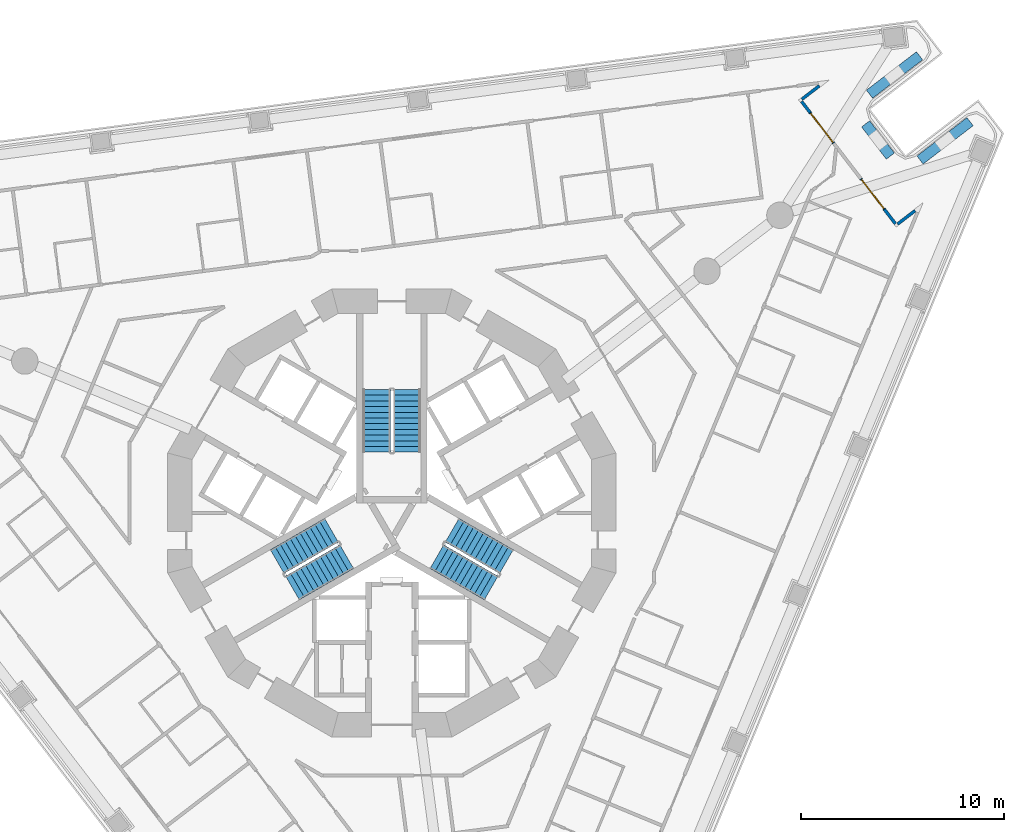
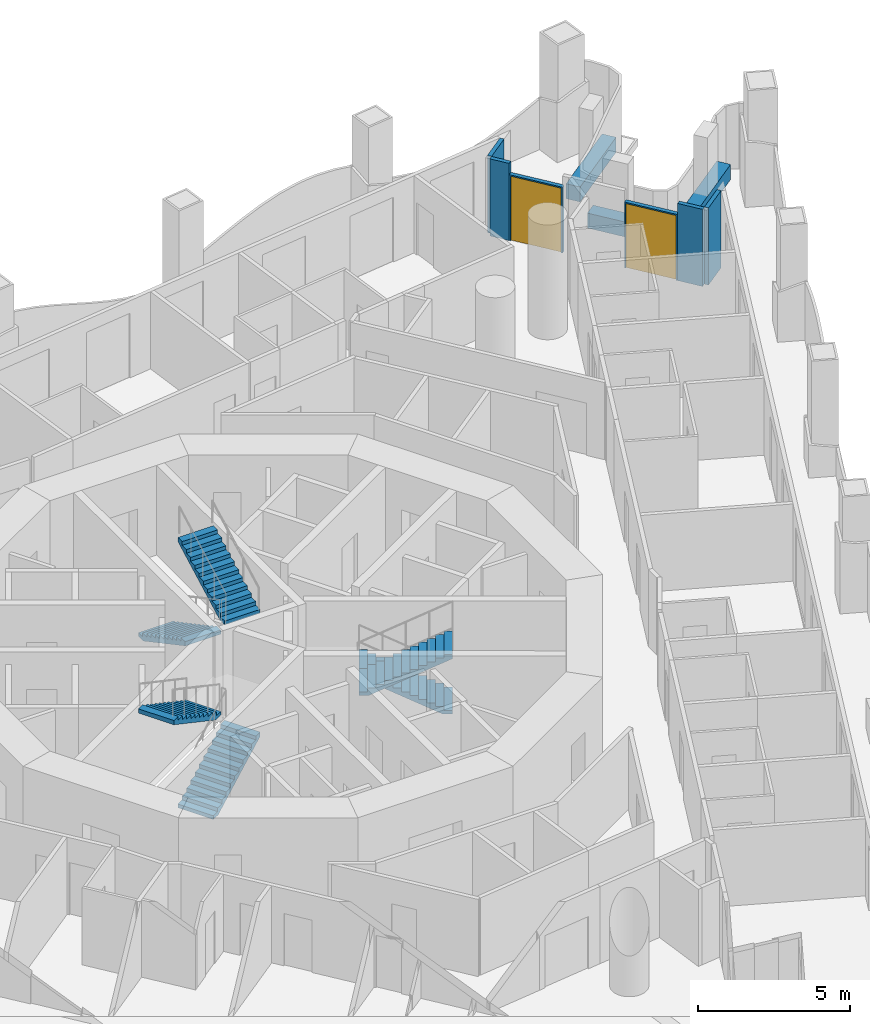
# One storey, part 11 of 19: 9 walls, 6 stair flights, 2 doors, 2 openings, 3 elements without a shape of their own.
"""IFC4 building model written with IfcOpenShell, lengths in metres."""

from ifc_helpers import new_model, si_unit, direction, frame, frame_2d, origin, place, context, subcontext, project, spatial, polyline, rectangle, outline, extrude, material, layer, layer_set, type_object, element, fill, aggregate, save


model = new_model("IFC4")

# Units and contexts
model_context = context("Model", 3, precision=1e-05, world=origin(), true_north=direction((0.0, 1.0)))
body_context = subcontext(model_context, "Body", "Model", "MODEL_VIEW")
ifc_project = project(units=[si_unit("LENGTHUNIT", "METRE"), si_unit("AREAUNIT", "SQUARE_METRE"), si_unit("VOLUMEUNIT", "CUBIC_METRE"), si_unit("PLANEANGLEUNIT", "RADIAN"), si_unit("MASSUNIT", "GRAM", prefix="KILO")], contexts=[model_context])

# Site, building, storey
site_placement = place(None, origin())
site = spatial("IfcSite", under=ifc_project, at=site_placement, CompositionType="ELEMENT")
building_placement = place(site_placement, origin())
building = spatial("IfcBuilding", under=site, at=building_placement, Name="Trine Commons Tower", CompositionType="ELEMENT")
storey_placement = place(building_placement, frame((0.0, 0.0, 79.199951171875)))
storey = spatial("IfcBuildingStorey", under=building, at=storey_placement, Name="L19", CompositionType="ELEMENT", Elevation=79.199951171875)

# Walls
ifc_material_1 = material(Name="Aluminium-framed insulated wall panel", Category="aluminium")
ifc_layer_1 = layer(ifc_material_1, 0.14990234375)
ifc_layer_set_1 = layer_set([ifc_layer_1], Name="Aluminium-framed insulated wall panel")
wall_type_1 = type_object("IfcWallType", Name="Glazed frame wall 150, EI 60", PredefinedType="SOLIDWALL", material=ifc_layer_set_1)
wall_1_placement = place(storey_placement, frame((101.129150390625, 83.584716796875, 0.0), z_axis=(0.0, 0.0, 1.0), x_axis=(-0.79337253673, -0.608736410905, 0.0)))
element("IfcWall", 1, at=wall_1_placement, inside=storey, type_object=wall_type_1, Name="Glazed frame wall R5", PredefinedType="SOLIDWALL", context=body_context, shape_type="SweptSolid", body=[
    extrude(outline(polyline([(0.1494140625, 0.074951171875), (0.1494140625, -0.074951171875), (1.235107421875, -0.074951171875), (1.235107421875, 0.074951171875), (0.1494140625, 0.074951171875)])), origin(), (0.0, 0.0, 1.0), 3.10009765625),
])
wall_2_placement = place(storey_placement, frame((100.068603515625, 82.81494140625, 0.0), z_axis=(0.0, 0.0, 1.0), x_axis=(0.608899188606, -0.79324761463, 0.0)))
element("IfcWall", 2, at=wall_2_placement, inside=storey, type_object=wall_type_1, Name="Glazed frame wall P2.1", PredefinedType="SOLIDWALL", context=body_context, shape_type="SweptSolid", body=[
    extrude(outline(polyline([(0.110107421875, -0.074951171875), (0.800048828125, -0.074951171875), (0.800048828125, 0.074951171875), (0.110107421875, 0.074951171875), (0.110107421875, -0.074951171875)])), origin(), (0.0, 0.0, 1.0), 3.10009765625),
])

# Wall, opening, door
wall_3_placement = place(storey_placement, frame((100.5556640625, 82.180419921875, 0.0), z_axis=(0.0, 0.0, 1.0), x_axis=(0.608803740143, -0.793320872023, 0.0)))
wall_3 = element("IfcWall", 3, at=wall_3_placement, inside=storey, type_object=wall_type_1, Name="Glazed frame wall P2.2", PredefinedType="SOLIDWALL", context=body_context, shape_type="SweptSolid", body=[
    extrude(outline(polyline([(0.0, -0.074951171875), (1.89990234375, -0.074951171875), (1.89990234375, 0.074951171875), (0.0, 0.074951171875), (0.0, -0.074951171875)])), origin(), (0.0, 0.0, 1.0), 2.650146484375),
])
opening_1_placement = place(wall_3_placement, frame((0.050048828125, 0.0, 0.0)))
opening_1 = element("IfcOpeningElement", 4, at=opening_1_placement, cuts=wall_3, Name="Opening BD-2P2-01", PredefinedType="OPENING", context=body_context, shape_type="SweptSolid", body=[
    extrude(rectangle(XDim=1.800048828125, YDim=2.60009765625, at=frame_2d((0.89990234375, 1.300048828125))), frame((0.0, 0.0849609375, 0.0), z_axis=(0.0, -1.0, 0.0), x_axis=(1.0, 0.0, 0.0)), (0.0, 0.0, 1.0), 0.169921875),
])
ifc_material_2 = material(Name="Anodised aluminium frame with double glazing", Category="aluminium")
door_type = type_object("IfcDoorType", Name="Sliding loggia door 1800x2600", OperationType="SLIDING_TO_LEFT", PredefinedType="DOOR", material=ifc_material_2)
door_1_placement = place(opening_1_placement, origin())
door_1 = element("IfcDoor", 5, at=door_1_placement, inside=storey, type_object=door_type, Name="Loggia door P2 1", OperationType="SLIDING_TO_LEFT", OverallHeight=2.60009765625, OverallWidth=1.800048828125, PredefinedType="DOOR", context=body_context, shape_type="SweptSolid", body=[
    extrude(rectangle(XDim=1.800048828125, YDim=2.60009765625, at=frame_2d((0.89990234375, 1.300048828125))), frame((0.0, 0.02490234375, 0.0), z_axis=(0.0, -1.0, 0.0), x_axis=(1.0, 0.0, 0.0)), (0.0, 0.0, 1.0), 0.050048828125),
])
fill(opening_1, door_1)

wall_4_placement = place(storey_placement, frame((103.051513671875, 78.927490234375, 0.0), z_axis=(0.0, 0.0, 1.0), x_axis=(0.608803740143, -0.793320872023, 0.0)))
wall_4 = element("IfcWall", 6, at=wall_4_placement, inside=storey, type_object=wall_type_1, Name="Glazed frame wall P2.4", PredefinedType="SOLIDWALL", context=body_context, shape_type="SweptSolid", body=[
    extrude(outline(polyline([(0.0, -0.074951171875), (1.89990234375, -0.074951171875), (1.89990234375, 0.074951171875), (0.0, 0.074951171875), (0.0, -0.074951171875)])), origin(), (0.0, 0.0, 1.0), 2.650146484375),
])
opening_2_placement = place(wall_4_placement, frame((0.050048828125, 0.0, 0.0)))
opening_2 = element("IfcOpeningElement", 7, at=opening_2_placement, cuts=wall_4, Name="Opening BD-2P2-02", PredefinedType="OPENING", context=body_context, shape_type="SweptSolid", body=[
    extrude(rectangle(XDim=1.800048828125, YDim=2.60009765625, at=frame_2d((0.89990234375, 1.300048828125))), frame((0.0, 0.0849609375, 0.0), z_axis=(0.0, -1.0, 0.0), x_axis=(1.0, 0.0, 0.0)), (0.0, 0.0, 1.0), 0.169921875),
])
door_2_placement = place(opening_2_placement, origin())
door_2 = element("IfcDoor", 8, at=door_2_placement, inside=storey, type_object=door_type, Name="Loggia door P2 2", OperationType="SLIDING_TO_LEFT", OverallHeight=2.60009765625, OverallWidth=1.800048828125, PredefinedType="DOOR", context=body_context, shape_type="SweptSolid", body=[
    extrude(rectangle(XDim=1.800048828125, YDim=2.60009765625, at=frame_2d((0.89990234375, 1.300048828125))), frame((0.0, 0.02490234375, 0.0), z_axis=(0.0, -1.0, 0.0), x_axis=(1.0, 0.0, 0.0)), (0.0, 0.0, 1.0), 0.050048828125),
])
fill(opening_2, door_2)

# Walls
wall_5_placement = place(storey_placement, frame((104.208251953125, 77.420166015625, 0.0), z_axis=(0.0, 0.0, 1.0), x_axis=(0.608754453805, -0.793358692504, 0.0)))
element("IfcWall", 9, at=wall_5_placement, inside=storey, type_object=wall_type_1, Name="Glazed frame wall P2.5", PredefinedType="SOLIDWALL", context=body_context, shape_type="SweptSolid", body=[
    extrude(outline(polyline([(0.889892578125, 0.074951171875), (0.0, 0.074951171875), (0.0, -0.074951171875), (0.889892578125, -0.074951171875), (0.889892578125, 0.074951171875)])), origin(), (0.0, 0.0, 1.0), 3.10009765625),
])
wall_6_placement = place(storey_placement, frame((104.767822265625, 76.63330078125, 0.0), z_axis=(0.0, 0.0, 1.0), x_axis=(0.793352136239, 0.608762998157, 0.0)))
element("IfcWall", 10, at=wall_6_placement, inside=storey, type_object=wall_type_1, Name="Glazed frame wall R7", PredefinedType="SOLIDWALL", context=body_context, shape_type="SweptSolid", body=[
    extrude(outline(polyline([(0.110107421875, 0.074951171875), (0.110107421875, -0.074951171875), (1.19580078125, -0.074951171875), (1.19580078125, 0.074951171875), (0.110107421875, 0.074951171875)])), origin(), (0.0, 0.0, 1.0), 3.10009765625),
])
ifc_material_3 = material(Name="Planter trough, precast concrete C40/50", Category="concrete")
ifc_layer_2 = layer(ifc_material_3, 0.5)
ifc_layer_set_2 = layer_set([ifc_layer_2], Name="Planter trough, precast concrete C40/50")
wall_type_2 = type_object("IfcWallType", Name="Planter trough 500x600", PredefinedType="PARAPET", material=ifc_layer_set_2)
wall_7_placement = place(storey_placement, frame((105.933349609375, 84.970703125, 0.0), z_axis=(0.0, 0.0, 1.0), x_axis=(-0.793355321014, -0.608758847671, 0.0)))
element("IfcWall", 11, at=wall_7_placement, inside=storey, type_object=wall_type_2, Name="Planter 4", PredefinedType="PARAPET", context=body_context, shape_type="SweptSolid", body=[
    extrude(rectangle(XDim=3.10009765625, YDim=0.5, at=frame_2d((1.550048828125, 0.0))), origin(), (0.0, 0.0, 1.0), 0.60009765625),
])
wall_8_placement = place(storey_placement, frame((103.281982421875, 81.625244140625, 0.0), z_axis=(0.0, 0.0, 1.0), x_axis=(0.608772331974, -0.793344974033, 0.0)))
element("IfcWall", 12, at=wall_8_placement, inside=storey, type_object=wall_type_2, Name="Planter 5", PredefinedType="PARAPET", context=body_context, shape_type="SweptSolid", body=[
    extrude(rectangle(XDim=2.0, YDim=0.5, at=frame_2d((1.0, 0.0))), origin(), (0.0, 0.0, 1.0), 0.60009765625),
])
wall_9_placement = place(storey_placement, frame((105.95751953125, 79.8466796875, 0.0), z_axis=(0.0, 0.0, 1.0), x_axis=(0.793355321014, 0.608758847671, 0.0)))
element("IfcWall", 13, at=wall_9_placement, inside=storey, type_object=wall_type_2, Name="Planter 6", PredefinedType="PARAPET", context=body_context, shape_type="SweptSolid", body=[
    extrude(rectangle(XDim=3.10009765625, YDim=0.5, at=frame_2d((1.550048828125, 0.0))), origin(), (0.0, 0.0, 1.0), 0.60009765625),
])

# Stair, stair flights
ifc_material_4 = material(Name="Concrete C50/60", Category="concrete")
stair_type = type_object("IfcStairType", Name="Exit stair, dog-leg, 24 risers of 150 mm", PredefinedType="HALF_TURN_STAIR", material=ifc_material_4)
stair_1_placement = place(storey_placement, origin())
stair_1 = element("IfcStair", 14, at=stair_1_placement, inside=storey, type_object=stair_type, Name="L19 Exit stair ST1A", PredefinedType="HALF_TURN_STAIR")
stair_flight_type = type_object("IfcStairFlightType", Name="Stair flight, 1350 wide, 12 risers of 150 mm", PredefinedType="STRAIGHT", material=ifc_material_4)
stair_flight_1_placement = place(storey_placement, frame((79.25, 68.570556640625, 0.0), z_axis=(0.0, 0.0, 1.0), x_axis=(0.0, -1.0, 0.0)))
stair_flight_1 = element("IfcStairFlight", 15, at=stair_flight_1_placement, type_object=stair_flight_type, Name="ST1A flight 1", NumberOfRisers=12, NumberOfTreads=11, PredefinedType="STRAIGHT", RiserHeight=0.15, TreadLength=0.28, context=body_context, shape_type="SweptSolid", body=[
    extrude(outline(polyline([(0.0, 0.0), (0.0, 0.14990234375), (0.280029296875, 0.14990234375), (0.280029296875, 0.300048828125), (0.56005859375, 0.300048828125), (0.56005859375, 0.449951171875), (0.840087890625, 0.449951171875), (0.840087890625, 0.60009765625), (1.1201171875, 0.60009765625), (1.1201171875, 0.75), (1.39990234375, 0.75), (1.39990234375, 0.89990234375), (1.679931640625, 0.89990234375), (1.679931640625, 1.050048828125), (1.9599609375, 1.050048828125), (1.9599609375, 1.199951171875), (2.239990234375, 1.199951171875), (2.239990234375, 1.35009765625), (2.52001953125, 1.35009765625), (2.52001953125, 1.5), (2.800048828125, 1.5), (2.800048828125, 1.64990234375), (3.080078125, 1.64990234375), (3.080078125, 1.800048828125), (3.080078125, 1.47998046875), (0.3173828125, 0.0), (0.0, 0.0)])), frame((0.0, 0.675048828125, 0.0), z_axis=(0.0, -1.0, 0.0), x_axis=(1.0, 0.0, 0.0)), (0.0, 0.0, 1.0), 1.35009765625),
])
stair_flight_2_placement = place(storey_placement, frame((80.75, 65.490478515625, 1.800048828125), z_axis=(0.0, 0.0, 1.0), x_axis=(0.0, 1.0, 0.0)))
stair_flight_2 = element("IfcStairFlight", 16, at=stair_flight_2_placement, type_object=stair_flight_type, Name="ST1A flight 2", NumberOfRisers=12, NumberOfTreads=11, PredefinedType="STRAIGHT", RiserHeight=0.15, TreadLength=0.28, context=body_context, shape_type="SweptSolid", body=[
    extrude(outline(polyline([(0.0, 0.0), (0.0, 0.14990234375), (0.280029296875, 0.14990234375), (0.280029296875, 0.300048828125), (0.56005859375, 0.300048828125), (0.56005859375, 0.449951171875), (0.840087890625, 0.449951171875), (0.840087890625, 0.60009765625), (1.1201171875, 0.60009765625), (1.1201171875, 0.75), (1.39990234375, 0.75), (1.39990234375, 0.89990234375), (1.679931640625, 0.89990234375), (1.679931640625, 1.050048828125), (1.9599609375, 1.050048828125), (1.9599609375, 1.199951171875), (2.239990234375, 1.199951171875), (2.239990234375, 1.35009765625), (2.52001953125, 1.35009765625), (2.52001953125, 1.5), (2.800048828125, 1.5), (2.800048828125, 1.64990234375), (3.080078125, 1.64990234375), (3.080078125, 1.800048828125), (3.080078125, 1.47998046875), (0.3173828125, 0.0), (0.0, 0.0)])), frame((0.0, 0.675048828125, 0.0), z_axis=(0.0, -1.0, 0.0), x_axis=(1.0, 0.0, 0.0)), (0.0, 0.0, 1.0), 1.35009765625),
])
aggregate(stair_1, [stair_flight_1, stair_flight_2])

stair_2_placement = place(storey_placement, origin())
stair_2 = element("IfcStair", 17, at=stair_2_placement, inside=storey, type_object=stair_type, Name="L19 Exit stair ST2A", PredefinedType="HALF_TURN_STAIR")
stair_flight_3_placement = place(storey_placement, frame((75.11767578125, 58.815185546875, 0.0), z_axis=(0.0, 0.0, 1.0), x_axis=(0.866025403784, 0.5, 0.0)))
stair_flight_3 = element("IfcStairFlight", 18, at=stair_flight_3_placement, type_object=stair_flight_type, Name="ST2A flight 1", NumberOfRisers=12, NumberOfTreads=11, PredefinedType="STRAIGHT", RiserHeight=0.15, TreadLength=0.28, context=body_context, shape_type="SweptSolid", body=[
    extrude(outline(polyline([(0.0, 0.0), (0.0, 0.14990234375), (0.280029296875, 0.14990234375), (0.280029296875, 0.300048828125), (0.56005859375, 0.300048828125), (0.56005859375, 0.449951171875), (0.840087890625, 0.449951171875), (0.840087890625, 0.60009765625), (1.1201171875, 0.60009765625), (1.1201171875, 0.75), (1.39990234375, 0.75), (1.39990234375, 0.89990234375), (1.679931640625, 0.89990234375), (1.679931640625, 1.050048828125), (1.9599609375, 1.050048828125), (1.9599609375, 1.199951171875), (2.239990234375, 1.199951171875), (2.239990234375, 1.35009765625), (2.52001953125, 1.35009765625), (2.52001953125, 1.5), (2.800048828125, 1.5), (2.800048828125, 1.64990234375), (3.080078125, 1.64990234375), (3.080078125, 1.800048828125), (3.080078125, 1.47998046875), (0.3173828125, 0.0), (0.0, 0.0)])), frame((0.0, 0.675048828125, 0.0), z_axis=(0.0, -1.0, 0.0), x_axis=(1.0, 0.0, 0.0)), (0.0, 0.0, 1.0), 1.35009765625),
])
stair_flight_4_placement = place(storey_placement, frame((77.03515625, 61.654296875, 1.800048828125), z_axis=(0.0, 0.0, 1.0), x_axis=(-0.866025403784, -0.5, 0.0)))
stair_flight_4 = element("IfcStairFlight", 19, at=stair_flight_4_placement, type_object=stair_flight_type, Name="ST2A flight 2", NumberOfRisers=12, NumberOfTreads=11, PredefinedType="STRAIGHT", RiserHeight=0.15, TreadLength=0.28, context=body_context, shape_type="SweptSolid", body=[
    extrude(outline(polyline([(0.0, 0.0), (0.0, 0.14990234375), (0.280029296875, 0.14990234375), (0.280029296875, 0.300048828125), (0.56005859375, 0.300048828125), (0.56005859375, 0.449951171875), (0.840087890625, 0.449951171875), (0.840087890625, 0.60009765625), (1.1201171875, 0.60009765625), (1.1201171875, 0.75), (1.39990234375, 0.75), (1.39990234375, 0.89990234375), (1.679931640625, 0.89990234375), (1.679931640625, 1.050048828125), (1.9599609375, 1.050048828125), (1.9599609375, 1.199951171875), (2.239990234375, 1.199951171875), (2.239990234375, 1.35009765625), (2.52001953125, 1.35009765625), (2.52001953125, 1.5), (2.800048828125, 1.5), (2.800048828125, 1.64990234375), (3.080078125, 1.64990234375), (3.080078125, 1.800048828125), (3.080078125, 1.47998046875), (0.3173828125, 0.0), (0.0, 0.0)])), frame((0.0, 0.675048828125, 0.0), z_axis=(0.0, -1.0, 0.0), x_axis=(1.0, 0.0, 0.0)), (0.0, 0.0, 1.0), 1.35009765625),
])
aggregate(stair_2, [stair_flight_3, stair_flight_4])

stair_3_placement = place(storey_placement, origin())
stair_3 = element("IfcStair", 20, at=stair_3_placement, inside=storey, type_object=stair_type, Name="L19 Exit stair ST3A", PredefinedType="HALF_TURN_STAIR")
stair_flight_5_placement = place(storey_placement, frame((85.63232421875, 60.1142578125, 0.0), z_axis=(0.0, 0.0, 1.0), x_axis=(-0.866025403784, 0.5, 0.0)))
stair_flight_5 = element("IfcStairFlight", 21, at=stair_flight_5_placement, type_object=stair_flight_type, Name="ST3A flight 1", NumberOfRisers=12, NumberOfTreads=11, PredefinedType="STRAIGHT", RiserHeight=0.15, TreadLength=0.28, context=body_context, shape_type="SweptSolid", body=[
    extrude(outline(polyline([(0.0, 0.0), (0.0, 0.14990234375), (0.280029296875, 0.14990234375), (0.280029296875, 0.300048828125), (0.56005859375, 0.300048828125), (0.56005859375, 0.449951171875), (0.840087890625, 0.449951171875), (0.840087890625, 0.60009765625), (1.1201171875, 0.60009765625), (1.1201171875, 0.75), (1.39990234375, 0.75), (1.39990234375, 0.89990234375), (1.679931640625, 0.89990234375), (1.679931640625, 1.050048828125), (1.9599609375, 1.050048828125), (1.9599609375, 1.199951171875), (2.239990234375, 1.199951171875), (2.239990234375, 1.35009765625), (2.52001953125, 1.35009765625), (2.52001953125, 1.5), (2.800048828125, 1.5), (2.800048828125, 1.64990234375), (3.080078125, 1.64990234375), (3.080078125, 1.800048828125), (3.080078125, 1.47998046875), (0.3173828125, 0.0), (0.0, 0.0)])), frame((0.0, 0.675048828125, 0.0), z_axis=(0.0, -1.0, 0.0), x_axis=(1.0, 0.0, 0.0)), (0.0, 0.0, 1.0), 1.35009765625),
])
stair_flight_6_placement = place(storey_placement, frame((82.21484375, 60.355224609375, 1.800048828125), z_axis=(0.0, 0.0, 1.0), x_axis=(0.866025403784, -0.5, 0.0)))
stair_flight_6 = element("IfcStairFlight", 22, at=stair_flight_6_placement, type_object=stair_flight_type, Name="ST3A flight 2", NumberOfRisers=12, NumberOfTreads=11, PredefinedType="STRAIGHT", RiserHeight=0.15, TreadLength=0.28, context=body_context, shape_type="SweptSolid", body=[
    extrude(outline(polyline([(0.0, 0.0), (0.0, 0.14990234375), (0.280029296875, 0.14990234375), (0.280029296875, 0.300048828125), (0.56005859375, 0.300048828125), (0.56005859375, 0.449951171875), (0.840087890625, 0.449951171875), (0.840087890625, 0.60009765625), (1.1201171875, 0.60009765625), (1.1201171875, 0.75), (1.39990234375, 0.75), (1.39990234375, 0.89990234375), (1.679931640625, 0.89990234375), (1.679931640625, 1.050048828125), (1.9599609375, 1.050048828125), (1.9599609375, 1.199951171875), (2.239990234375, 1.199951171875), (2.239990234375, 1.35009765625), (2.52001953125, 1.35009765625), (2.52001953125, 1.5), (2.800048828125, 1.5), (2.800048828125, 1.64990234375), (3.080078125, 1.64990234375), (3.080078125, 1.800048828125), (3.080078125, 1.47998046875), (0.3173828125, 0.0), (0.0, 0.0)])), frame((0.0, 0.675048828125, 0.0), z_axis=(0.0, -1.0, 0.0), x_axis=(1.0, 0.0, 0.0)), (0.0, 0.0, 1.0), 1.35009765625),
])
aggregate(stair_3, [stair_flight_5, stair_flight_6])

save(model, "model.ifc")
